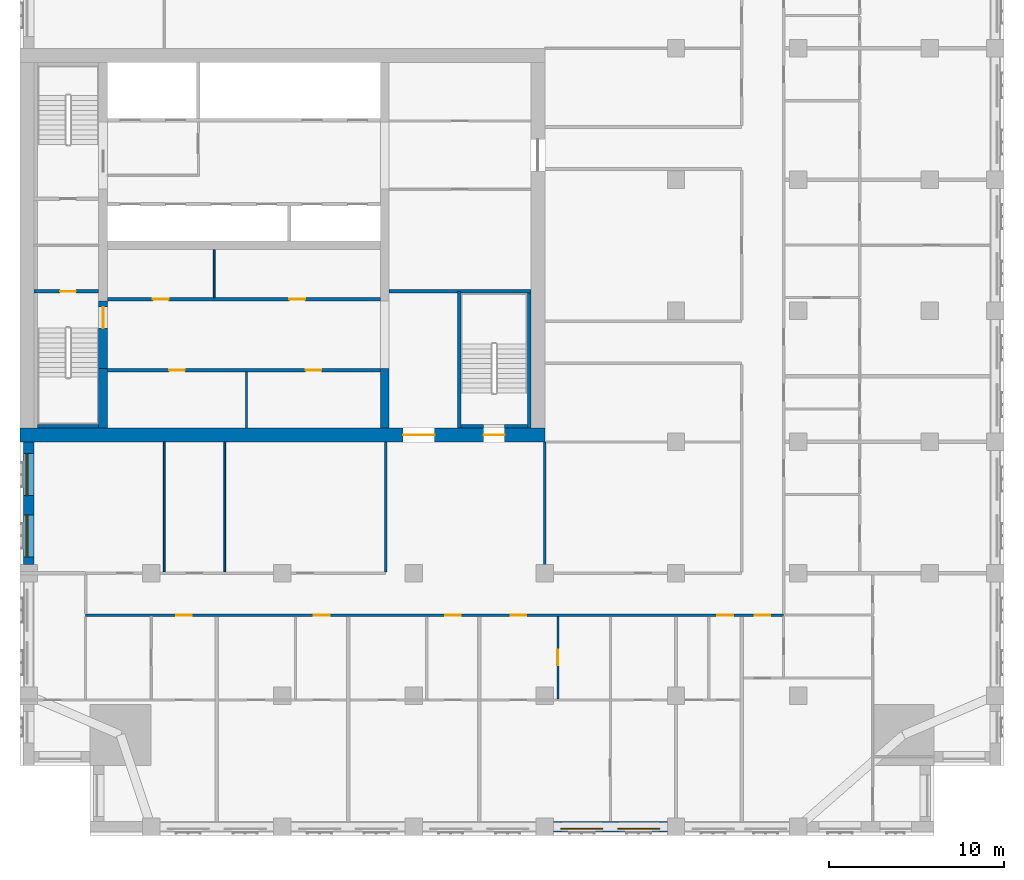
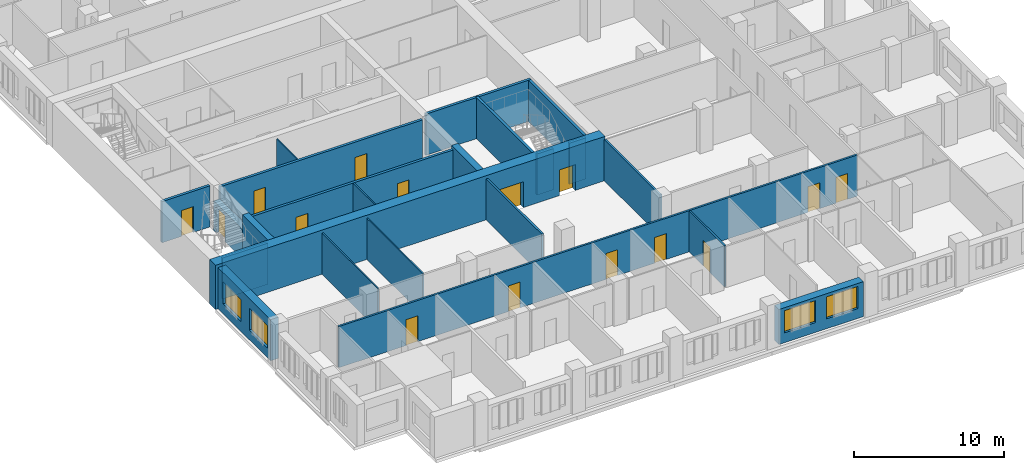
# One storey, part 5 of 14: 23 walls, 15 doors, 4 windows, 19 openings.
"""IFC4 building model written with IfcOpenShell, lengths in metres."""

from ifc_helpers import new_model, si_unit, direction, frame, frame_2d, origin, place, context, subcontext, project, spatial, rectangle, extrude, material, layer, layer_set, type_object, element, fill, save


model = new_model("IFC4")

# Units and contexts
model_context = context("Model", 3, precision=1e-05, world=origin(), true_north=direction((0.0, 1.0)))
body_context = subcontext(model_context, "Body", "Model", "MODEL_VIEW")
ifc_project = project(units=[si_unit("LENGTHUNIT", "METRE"), si_unit("AREAUNIT", "SQUARE_METRE"), si_unit("VOLUMEUNIT", "CUBIC_METRE"), si_unit("PLANEANGLEUNIT", "RADIAN"), si_unit("MASSUNIT", "GRAM", prefix="KILO")], contexts=[model_context])

# Site, building, storey
site_placement = place(None, origin())
site = spatial("IfcSite", under=ifc_project, at=site_placement, CompositionType="ELEMENT")
building_placement = place(site_placement, origin())
building = spatial("IfcBuilding", under=site, at=building_placement, Name="Tamorin Gate", CompositionType="ELEMENT")
storey_placement = place(building_placement, frame((0.0, 0.0, 133.800048828125)))
storey = spatial("IfcBuildingStorey", under=building, at=storey_placement, Name="L32", CompositionType="ELEMENT", Elevation=133.800048828125)

# Wall, openings, windows
ifc_material_1 = material(Name="Precast concrete C40/50", Category="concrete")
ifc_layer_1 = layer(ifc_material_1, 0.60009765625)
ifc_layer_set_1 = layer_set([ifc_layer_1], Name="Precast concrete C40/50")
wall_type_1 = type_object("IfcWallType", Name="Board-marked concrete facade panel 600", PredefinedType="SOLIDWALL", material=ifc_layer_set_1)
wall_1_placement = place(storey_placement, frame((60.5, 38.0, 0.0), z_axis=(0.0, 0.0, 1.0), x_axis=(1.0, 0.0, 0.0)))
wall_1 = element("IfcWall", 1, at=wall_1_placement, inside=storey, type_object=wall_type_1, Name="Facade panel", PredefinedType="SOLIDWALL", context=body_context, shape_type="SweptSolid", body=[
    extrude(rectangle(XDim=6.5, YDim=0.60009765625, at=frame_2d((3.25, 0.0))), origin(), (0.0, 0.0, 1.0), 2.849853515625),
])
opening_1_placement = place(wall_1_placement, frame((0.425048828125, 0.0, 0.800048828125)))
opening_1 = element("IfcOpeningElement", 2, at=opening_1_placement, cuts=wall_1, Name="Opening WN1", PredefinedType="OPENING", context=body_context, shape_type="SweptSolid", body=[
    extrude(rectangle(XDim=2.39990234375, YDim=1.800048828125, at=frame_2d((1.199951171875, 0.89990234375))), frame((0.0, 0.31005859375, 0.0), z_axis=(0.0, -1.0, 0.0), x_axis=(1.0, 0.0, 0.0)), (0.0, 0.0, 1.0), 0.6201171875),
])
opening_2_placement = place(wall_1_placement, frame((3.675048828125, 0.0, 0.800048828125)))
opening_2 = element("IfcOpeningElement", 3, at=opening_2_placement, cuts=wall_1, Name="Opening WN1", PredefinedType="OPENING", context=body_context, shape_type="SweptSolid", body=[
    extrude(rectangle(XDim=2.39990234375, YDim=1.800048828125, at=frame_2d((1.199951171875, 0.89990234375))), frame((0.0, 0.31005859375, 0.0), z_axis=(0.0, -1.0, 0.0), x_axis=(1.0, 0.0, 0.0)), (0.0, 0.0, 1.0), 0.6201171875),
])
ifc_material_2 = material(Name="Clear glass in aluminium frame", Category="aluminium")
window_type = type_object("IfcWindowType", Name="Deep-set window 2400x1800", PartitioningType="SINGLE_PANEL", PredefinedType="WINDOW", material=ifc_material_2)
window_1_placement = place(opening_1_placement, origin())
window_1 = element("IfcWindow", 4, at=window_1_placement, inside=storey, type_object=window_type, Name="Deep-set window", OverallHeight=1.800048828125, OverallWidth=2.39990234375, PartitioningType="SINGLE_PANEL", PredefinedType="WINDOW", context=body_context, shape_type="SweptSolid", body=[
    extrude(rectangle(XDim=2.39990234375, YDim=1.800048828125, at=frame_2d((1.199951171875, 0.89990234375))), frame((0.0, -0.070068359375, 0.0), z_axis=(0.0, -1.0, 0.0), x_axis=(1.0, 0.0, 0.0)), (0.0, 0.0, 1.0), 0.06005859375),
])
fill(opening_1, window_1)
window_2_placement = place(opening_2_placement, origin())
window_2 = element("IfcWindow", 5, at=window_2_placement, inside=storey, type_object=window_type, Name="Deep-set window", OverallHeight=1.800048828125, OverallWidth=2.39990234375, PartitioningType="SINGLE_PANEL", PredefinedType="WINDOW", context=body_context, shape_type="SweptSolid", body=[
    extrude(rectangle(XDim=2.39990234375, YDim=1.800048828125, at=frame_2d((1.199951171875, 0.89990234375))), frame((0.0, -0.070068359375, 0.0), z_axis=(0.0, -1.0, 0.0), x_axis=(1.0, 0.0, 0.0)), (0.0, 0.0, 1.0), 0.06005859375),
])
fill(opening_2, window_2)

wall_2_placement = place(storey_placement, frame((30.5, 60.0, 0.0), z_axis=(0.0, 0.0, 1.0), x_axis=(0.0, -1.0, 0.0)))
wall_2 = element("IfcWall", 6, at=wall_2_placement, inside=storey, type_object=wall_type_1, Name="Facade panel", PredefinedType="SOLIDWALL", context=body_context, shape_type="SweptSolid", body=[
    extrude(rectangle(XDim=7.0, YDim=0.60009765625, at=frame_2d((3.5, 0.0))), origin(), (0.0, 0.0, 1.0), 3.349853515625),
])
opening_3_placement = place(wall_2_placement, frame((4.175048828125, 0.0, 0.800048828125)))
opening_3 = element("IfcOpeningElement", 7, at=opening_3_placement, cuts=wall_2, Name="Opening WN1", PredefinedType="OPENING", context=body_context, shape_type="SweptSolid", body=[
    extrude(rectangle(XDim=2.39990234375, YDim=1.800048828125, at=frame_2d((1.199951171875, 0.89990234375))), frame((0.0, 0.31005859375, 0.0), z_axis=(0.0, -1.0, 0.0), x_axis=(1.0, 0.0, 0.0)), (0.0, 0.0, 1.0), 0.6201171875),
])
opening_4_placement = place(wall_2_placement, frame((0.675048828125, 0.0, 0.800048828125)))
opening_4 = element("IfcOpeningElement", 8, at=opening_4_placement, cuts=wall_2, Name="Opening WN1", PredefinedType="OPENING", context=body_context, shape_type="SweptSolid", body=[
    extrude(rectangle(XDim=2.39990234375, YDim=1.800048828125, at=frame_2d((1.199951171875, 0.89990234375))), frame((0.0, 0.31005859375, 0.0), z_axis=(0.0, -1.0, 0.0), x_axis=(1.0, 0.0, 0.0)), (0.0, 0.0, 1.0), 0.6201171875),
])
window_3_placement = place(opening_3_placement, origin())
window_3 = element("IfcWindow", 9, at=window_3_placement, inside=storey, type_object=window_type, Name="Deep-set window", OverallHeight=1.800048828125, OverallWidth=2.39990234375, PartitioningType="SINGLE_PANEL", PredefinedType="WINDOW", context=body_context, shape_type="SweptSolid", body=[
    extrude(rectangle(XDim=2.39990234375, YDim=1.800048828125, at=frame_2d((1.199951171875, 0.89990234375))), frame((0.0, -0.070068359375, 0.0), z_axis=(0.0, -1.0, 0.0), x_axis=(1.0, 0.0, 0.0)), (0.0, 0.0, 1.0), 0.06005859375),
])
fill(opening_3, window_3)
window_4_placement = place(opening_4_placement, origin())
window_4 = element("IfcWindow", 10, at=window_4_placement, inside=storey, type_object=window_type, Name="Deep-set window", OverallHeight=1.800048828125, OverallWidth=2.39990234375, PartitioningType="SINGLE_PANEL", PredefinedType="WINDOW", context=body_context, shape_type="SweptSolid", body=[
    extrude(rectangle(XDim=2.39990234375, YDim=1.800048828125, at=frame_2d((1.199951171875, 0.89990234375))), frame((0.0, -0.070068359375, 0.0), z_axis=(0.0, -1.0, 0.0), x_axis=(1.0, 0.0, 0.0)), (0.0, 0.0, 1.0), 0.06005859375),
])
fill(opening_4, window_4)

# Wall, openings, doors
ifc_material_3 = material(Name="Gypsum board partition")
ifc_layer_2 = layer(ifc_material_3, 0.14990234375)
ifc_layer_set_2 = layer_set([ifc_layer_2], Name="Corridor wall 150")
wall_type_2 = type_object("IfcWallType", Name="Corridor wall 150", PredefinedType="PARTITIONING", material=ifc_layer_set_2)
wall_3_placement = place(storey_placement, frame((33.75, 50.10009765625, 0.0), z_axis=(0.0, 0.0, 1.0), x_axis=(1.0, 0.0, 0.0)))
wall_3 = element("IfcWall", 11, at=wall_3_placement, inside=storey, type_object=wall_type_2, Name="Corridor wall 150", PredefinedType="PARTITIONING", context=body_context, shape_type="SweptSolid", body=[
    extrude(rectangle(XDim=39.89990234375, YDim=0.14990234375, at=frame_2d((19.949951171875, 0.0))), origin(), (0.0, 0.0, 1.0), 3.349853515625),
])
opening_5_placement = place(wall_3_placement, frame((5.175048828125, 0.0, 0.0)))
opening_5 = element("IfcOpeningElement", 12, at=opening_5_placement, cuts=wall_3, Name="Opening DS2003", PredefinedType="OPENING", context=body_context, shape_type="SweptSolid", body=[
    extrude(rectangle(XDim=0.89990234375, YDim=2.10009765625, at=frame_2d((0.449951171875, 1.050048828125))), frame((0.0, 0.0849609375, 0.0), z_axis=(0.0, -1.0, 0.0), x_axis=(1.0, 0.0, 0.0)), (0.0, 0.0, 1.0), 0.169921875),
])
opening_6_placement = place(wall_3_placement, frame((13.050048828125, 0.0, 0.0)))
opening_6 = element("IfcOpeningElement", 13, at=opening_6_placement, cuts=wall_3, Name="Opening DS2006", PredefinedType="OPENING", context=body_context, shape_type="SweptSolid", body=[
    extrude(rectangle(XDim=0.89990234375, YDim=2.10009765625, at=frame_2d((0.449951171875, 1.050048828125))), frame((0.0, 0.0849609375, 0.0), z_axis=(0.0, -1.0, 0.0), x_axis=(1.0, 0.0, 0.0)), (0.0, 0.0, 1.0), 0.169921875),
])
opening_7_placement = place(wall_3_placement, frame((20.550048828125, 0.0, 0.0)))
opening_7 = element("IfcOpeningElement", 14, at=opening_7_placement, cuts=wall_3, Name="Opening DS2009", PredefinedType="OPENING", context=body_context, shape_type="SweptSolid", body=[
    extrude(rectangle(XDim=0.89990234375, YDim=2.10009765625, at=frame_2d((0.449951171875, 1.050048828125))), frame((0.0, 0.0849609375, 0.0), z_axis=(0.0, -1.0, 0.0), x_axis=(1.0, 0.0, 0.0)), (0.0, 0.0, 1.0), 0.169921875),
])
opening_8_placement = place(wall_3_placement, frame((24.300048828125, 0.0, 0.0)))
opening_8 = element("IfcOpeningElement", 15, at=opening_8_placement, cuts=wall_3, Name="Opening DS2011", PredefinedType="OPENING", context=body_context, shape_type="SweptSolid", body=[
    extrude(rectangle(XDim=0.89990234375, YDim=2.10009765625, at=frame_2d((0.449951171875, 1.050048828125))), frame((0.0, 0.0849609375, 0.0), z_axis=(0.0, -1.0, 0.0), x_axis=(1.0, 0.0, 0.0)), (0.0, 0.0, 1.0), 0.169921875),
])
opening_9_placement = place(wall_3_placement, frame((36.112548828125, 0.0, 0.0)))
opening_9 = element("IfcOpeningElement", 16, at=opening_9_placement, cuts=wall_3, Name="Opening DS2017", PredefinedType="OPENING", context=body_context, shape_type="SweptSolid", body=[
    extrude(rectangle(XDim=0.89990234375, YDim=2.10009765625, at=frame_2d((0.449951171875, 1.050048828125))), frame((0.0, 0.0849609375, 0.0), z_axis=(0.0, -1.0, 0.0), x_axis=(1.0, 0.0, 0.0)), (0.0, 0.0, 1.0), 0.169921875),
])
opening_10_placement = place(wall_3_placement, frame((38.25, 0.0, 0.0)))
opening_10 = element("IfcOpeningElement", 17, at=opening_10_placement, cuts=wall_3, Name="Opening DS2054", PredefinedType="OPENING", context=body_context, shape_type="SweptSolid", body=[
    extrude(rectangle(XDim=0.89990234375, YDim=2.10009765625, at=frame_2d((0.449951171875, 1.050048828125))), frame((0.0, 0.0849609375, 0.0), z_axis=(0.0, -1.0, 0.0), x_axis=(1.0, 0.0, 0.0)), (0.0, 0.0, 1.0), 0.169921875),
])
ifc_material_4 = material(Name="Timber door leaf", Category="wood")
door_type_1 = type_object("IfcDoorType", Name="Door 900 x 2100 FD30S", OperationType="NOTDEFINED", PredefinedType="DOOR", material=ifc_material_4)
door_1_placement = place(opening_5_placement, origin())
door_1 = element("IfcDoor", 18, at=door_1_placement, inside=storey, type_object=door_type_1, Name="Door DS2003", OperationType="SINGLE_SWING_RIGHT", OverallHeight=2.10009765625, OverallWidth=0.89990234375, PredefinedType="DOOR", context=body_context, shape_type="SweptSolid", body=[
    extrude(rectangle(XDim=0.89990234375, YDim=2.10009765625, at=frame_2d((0.449951171875, 1.050048828125))), frame((0.0, 0.02490234375, 0.0), z_axis=(0.0, -1.0, 0.0), x_axis=(1.0, 0.0, 0.0)), (0.0, 0.0, 1.0), 0.050048828125),
])
fill(opening_5, door_1)
door_2_placement = place(opening_6_placement, origin())
door_2 = element("IfcDoor", 19, at=door_2_placement, inside=storey, type_object=door_type_1, Name="Door DS2006", OperationType="SINGLE_SWING_RIGHT", OverallHeight=2.10009765625, OverallWidth=0.89990234375, PredefinedType="DOOR", context=body_context, shape_type="SweptSolid", body=[
    extrude(rectangle(XDim=0.89990234375, YDim=2.10009765625, at=frame_2d((0.449951171875, 1.050048828125))), frame((0.0, 0.02490234375, 0.0), z_axis=(0.0, -1.0, 0.0), x_axis=(1.0, 0.0, 0.0)), (0.0, 0.0, 1.0), 0.050048828125),
])
fill(opening_6, door_2)
door_3_placement = place(opening_7_placement, origin())
door_3 = element("IfcDoor", 20, at=door_3_placement, inside=storey, type_object=door_type_1, Name="Door DS2009", OperationType="SINGLE_SWING_RIGHT", OverallHeight=2.10009765625, OverallWidth=0.89990234375, PredefinedType="DOOR", context=body_context, shape_type="SweptSolid", body=[
    extrude(rectangle(XDim=0.89990234375, YDim=2.10009765625, at=frame_2d((0.449951171875, 1.050048828125))), frame((0.0, 0.02490234375, 0.0), z_axis=(0.0, -1.0, 0.0), x_axis=(1.0, 0.0, 0.0)), (0.0, 0.0, 1.0), 0.050048828125),
])
fill(opening_7, door_3)
door_4_placement = place(opening_8_placement, origin())
door_4 = element("IfcDoor", 21, at=door_4_placement, inside=storey, type_object=door_type_1, Name="Door DS2011", OperationType="SINGLE_SWING_RIGHT", OverallHeight=2.10009765625, OverallWidth=0.89990234375, PredefinedType="DOOR", context=body_context, shape_type="SweptSolid", body=[
    extrude(rectangle(XDim=0.89990234375, YDim=2.10009765625, at=frame_2d((0.449951171875, 1.050048828125))), frame((0.0, 0.02490234375, 0.0), z_axis=(0.0, -1.0, 0.0), x_axis=(1.0, 0.0, 0.0)), (0.0, 0.0, 1.0), 0.050048828125),
])
fill(opening_8, door_4)
door_5_placement = place(opening_9_placement, origin())
door_5 = element("IfcDoor", 22, at=door_5_placement, inside=storey, type_object=door_type_1, Name="Door DS2017", OperationType="SINGLE_SWING_RIGHT", OverallHeight=2.10009765625, OverallWidth=0.89990234375, PredefinedType="DOOR", context=body_context, shape_type="SweptSolid", body=[
    extrude(rectangle(XDim=0.89990234375, YDim=2.10009765625, at=frame_2d((0.449951171875, 1.050048828125))), frame((0.0, 0.02490234375, 0.0), z_axis=(0.0, -1.0, 0.0), x_axis=(1.0, 0.0, 0.0)), (0.0, 0.0, 1.0), 0.050048828125),
])
fill(opening_9, door_5)
door_6_placement = place(opening_10_placement, origin())
door_6 = element("IfcDoor", 23, at=door_6_placement, inside=storey, type_object=door_type_1, Name="Door DS2054", OperationType="SINGLE_SWING_LEFT", OverallHeight=2.10009765625, OverallWidth=0.89990234375, PredefinedType="DOOR", context=body_context, shape_type="SweptSolid", body=[
    extrude(rectangle(XDim=0.89990234375, YDim=2.10009765625, at=frame_2d((0.449951171875, 1.050048828125))), frame((0.0, 0.02490234375, 0.0), z_axis=(0.0, -1.0, 0.0), x_axis=(1.0, 0.0, 0.0)), (0.0, 0.0, 1.0), 0.050048828125),
])
fill(opening_10, door_6)

# Walls
ifc_layer_3 = layer(ifc_material_3, 0.14990234375)
ifc_layer_set_3 = layer_set([ifc_layer_3], Name="Lobby wall 150")
wall_type_3 = type_object("IfcWallType", Name="Lobby wall 150", PredefinedType="PARTITIONING", material=ifc_layer_set_3)
for number, where, z_axis, x_axis, name in (
    (24, (50.89990234375, 52.574951171875, 0.0), (0.0, 0.0, 1.0), (0.0, 1.0, 0.0), "Lobby wall 150"),
    (25, (60.0, 52.574951171875, 0.0), (0.0, 0.0, 1.0), (0.0, 1.0, 0.0), "Lobby wall 150"),
):
    element("IfcWall", number, at=place(storey_placement, frame(where, z_axis=z_axis, x_axis=x_axis)), inside=storey, type_object=wall_type_3, Name=name, PredefinedType="PARTITIONING", context=body_context, shape_type="SweptSolid", body=[
        extrude(rectangle(XDim=7.425048828125, YDim=0.14990234375, at=frame_2d((3.71240234375, 0.0))), origin(), (0.0, 0.0, 1.0), 3.349853515625),
    ])
ifc_material_5 = material(Name="Concrete C60/75", Category="concrete")
ifc_layer_4 = layer(ifc_material_5, 0.5)
ifc_layer_set_4 = layer_set([ifc_layer_4], Name="RC core internal wall 500 C60/75")
wall_type_4 = type_object("IfcWallType", Name="RC core internal wall 500 C60/75", PredefinedType="SHEAR", material=ifc_layer_set_4)
for number, where, z_axis, x_axis, name in (
    (26, (34.75, 60.800048828125, 0.0), (0.0, 0.0, 1.0), (0.0, 1.0, 0.0), "Core cross wall L32"),
    (27, (50.85009765625, 60.800048828125, 0.0), (0.0, 0.0, 1.0), (0.0, 1.0, 0.0), "Core cross wall L32"),
):
    element("IfcWall", number, at=place(storey_placement, frame(where, z_axis=z_axis, x_axis=x_axis)), inside=storey, type_object=wall_type_4, Name=name, PredefinedType="SHEAR", context=body_context, shape_type="SweptSolid", body=[
        extrude(rectangle(XDim=3.39990234375, YDim=0.5, at=frame_2d((1.699951171875, 0.0))), origin(), (0.0, 0.0, 1.0), 3.599853515625),
    ])

# Wall, openings, doors
ifc_layer_5 = layer(ifc_material_5, 0.800048828125)
ifc_layer_set_5 = layer_set([ifc_layer_5], Name="RC core wall 800 C60/75")
wall_type_5 = type_object("IfcWallType", Name="RC core wall 800 C60/75", PredefinedType="SHEAR", material=ifc_layer_set_5)
wall_4_placement = place(storey_placement, frame((30.0, 60.39990234375, 0.0), z_axis=(0.0, 0.0, 1.0), x_axis=(1.0, 0.0, 0.0)))
wall_4 = element("IfcWall", 28, at=wall_4_placement, inside=storey, type_object=wall_type_5, Name="Core wall L32", PredefinedType="SHEAR", context=body_context, shape_type="SweptSolid", body=[
    extrude(rectangle(XDim=30.0, YDim=0.800048828125, at=frame_2d((15.0, 0.0))), origin(), (0.0, 0.0, 1.0), 3.599853515625),
])
opening_11_placement = place(wall_4_placement, frame((21.89990234375, 0.0, 0.0)))
opening_11 = element("IfcOpeningElement", 29, at=opening_11_placement, cuts=wall_4, Name="Opening DE1", PredefinedType="OPENING", context=body_context, shape_type="SweptSolid", body=[
    extrude(rectangle(XDim=1.800048828125, YDim=2.10009765625, at=frame_2d((0.89990234375, 1.050048828125))), frame((0.0, 0.409912109375, 0.0), z_axis=(0.0, -1.0, 0.0), x_axis=(1.0, 0.0, 0.0)), (0.0, 0.0, 1.0), 0.820068359375),
])
opening_12_placement = place(wall_4_placement, frame((26.5, 0.0, 0.0)))
opening_12 = element("IfcOpeningElement", 30, at=opening_12_placement, cuts=wall_4, Name="Opening DS1", PredefinedType="OPENING", context=body_context, shape_type="SweptSolid", body=[
    extrude(rectangle(XDim=1.199951171875, YDim=2.10009765625, at=frame_2d((0.60009765625, 1.050048828125))), frame((0.0, 0.409912109375, 0.0), z_axis=(0.0, -1.0, 0.0), x_axis=(1.0, 0.0, 0.0)), (0.0, 0.0, 1.0), 0.820068359375),
])
ifc_material_6 = material(Name="Steel fire door", Category="steel")
door_type_2 = type_object("IfcDoorType", Name="Lobby exit double door 1800 x 2100 EI 60", OperationType="DOUBLE_DOOR_SINGLE_SWING", PredefinedType="DOOR", material=ifc_material_6)
door_7_placement = place(opening_11_placement, origin())
door_7 = element("IfcDoor", 31, at=door_7_placement, inside=storey, type_object=door_type_2, Name="Lift lobby A exit door", OperationType="DOUBLE_DOOR_SINGLE_SWING", OverallHeight=2.10009765625, OverallWidth=1.800048828125, PredefinedType="DOOR", context=body_context, shape_type="SweptSolid", body=[
    extrude(rectangle(XDim=1.800048828125, YDim=2.10009765625, at=frame_2d((0.89990234375, 1.050048828125))), frame((0.0, 0.02490234375, 0.0), z_axis=(0.0, -1.0, 0.0), x_axis=(1.0, 0.0, 0.0)), (0.0, 0.0, 1.0), 0.050048828125),
])
fill(opening_11, door_7)
door_type_3 = type_object("IfcDoorType", Name="Stair door 1200 x 2100 EI 90", OperationType="SINGLE_SWING_LEFT", PredefinedType="DOOR", material=ifc_material_6)
door_8_placement = place(opening_12_placement, origin())
door_8 = element("IfcDoor", 32, at=door_8_placement, inside=storey, type_object=door_type_3, Name="ST3 door", OperationType="SINGLE_SWING_LEFT", OverallHeight=2.10009765625, OverallWidth=1.199951171875, PredefinedType="DOOR", context=body_context, shape_type="SweptSolid", body=[
    extrude(rectangle(XDim=1.199951171875, YDim=2.10009765625, at=frame_2d((0.60009765625, 1.050048828125))), frame((0.0, 0.02490234375, 0.0), z_axis=(0.0, -1.0, 0.0), x_axis=(1.0, 0.0, 0.0)), (0.0, 0.0, 1.0), 0.050048828125),
])
fill(opening_12, door_8)

# Walls
ifc_layer_6 = layer(ifc_material_3, 0.10009765625)
ifc_layer_set_6 = layer_set([ifc_layer_6], Name="Room partition 100")
wall_type_6 = type_object("IfcWallType", Name="Room partition 100", PredefinedType="PARTITIONING", material=ifc_layer_set_6)
for number, where, z_axis, x_axis, name in (
    (33, (38.25, 52.574951171875, 0.0), (0.0, 0.0, 1.0), (0.0, 1.0, 0.0), "Room partition 100"),
    (34, (41.699951171875, 52.574951171875, 0.0), (0.0, 0.0, 1.0), (0.0, 1.0, 0.0), "Room partition 100"),
):
    element("IfcWall", number, at=place(storey_placement, frame(where, z_axis=z_axis, x_axis=x_axis)), inside=storey, type_object=wall_type_6, Name=name, PredefinedType="PARTITIONING", context=body_context, shape_type="SweptSolid", body=[
        extrude(rectangle(XDim=7.425048828125, YDim=0.10009765625, at=frame_2d((3.71240234375, 0.0))), origin(), (0.0, 0.0, 1.0), 3.349853515625),
    ])

# Wall, openings, doors
ifc_layer_7 = layer(ifc_material_3, 0.199951171875)
ifc_layer_set_7 = layer_set([ifc_layer_7], Name="Service room face wall 200 EI 60")
wall_type_7 = type_object("IfcWallType", Name="Service room face wall 200 EI 60", PredefinedType="PARTITIONING", material=ifc_layer_set_7)
wall_5_placement = place(storey_placement, frame((35.0, 64.10009765625, 0.0), z_axis=(0.0, 0.0, 1.0), x_axis=(1.0, 0.0, 0.0)))
wall_5 = element("IfcWall", 35, at=wall_5_placement, inside=storey, type_object=wall_type_7, Name="Service room face wall", PredefinedType="PARTITIONING", context=body_context, shape_type="SweptSolid", body=[
    extrude(rectangle(XDim=15.60009765625, YDim=0.199951171875, at=frame_2d((7.800048828125, 0.0))), origin(), (0.0, 0.0, 1.0), 3.349853515625),
])
opening_13_placement = place(wall_5_placement, frame((3.52490234375, 0.0, 0.0)))
opening_13 = element("IfcOpeningElement", 36, at=opening_13_placement, cuts=wall_5, Name="Opening DK1", PredefinedType="OPENING", context=body_context, shape_type="SweptSolid", body=[
    extrude(rectangle(XDim=0.89990234375, YDim=2.10009765625, at=frame_2d((0.449951171875, 1.050048828125))), frame((0.0, 0.10986328125, 0.0), z_axis=(0.0, -1.0, 0.0), x_axis=(1.0, 0.0, 0.0)), (0.0, 0.0, 1.0), 0.219970703125),
])
opening_14_placement = place(wall_5_placement, frame((11.324951171875, 0.0, 0.0)))
opening_14 = element("IfcOpeningElement", 37, at=opening_14_placement, cuts=wall_5, Name="Opening DK1", PredefinedType="OPENING", context=body_context, shape_type="SweptSolid", body=[
    extrude(rectangle(XDim=0.89990234375, YDim=2.10009765625, at=frame_2d((0.449951171875, 1.050048828125))), frame((0.0, 0.10986328125, 0.0), z_axis=(0.0, -1.0, 0.0), x_axis=(1.0, 0.0, 0.0)), (0.0, 0.0, 1.0), 0.219970703125),
])
ifc_material_7 = material(Name="Timber fire door", Category="wood")
door_type_4 = type_object("IfcDoorType", Name="Service room door 900 x 2100 EI 60", OperationType="SINGLE_SWING_LEFT", PredefinedType="DOOR", material=ifc_material_7)
door_9_placement = place(opening_13_placement, origin())
door_9 = element("IfcDoor", 38, at=door_9_placement, inside=storey, type_object=door_type_4, Name="Door Pantry", OperationType="SINGLE_SWING_RIGHT", OverallHeight=2.10009765625, OverallWidth=0.89990234375, PredefinedType="DOOR", context=body_context, shape_type="SweptSolid", body=[
    extrude(rectangle(XDim=0.89990234375, YDim=2.10009765625, at=frame_2d((0.449951171875, 1.050048828125))), frame((0.0, 0.02490234375, 0.0), z_axis=(0.0, -1.0, 0.0), x_axis=(1.0, 0.0, 0.0)), (0.0, 0.0, 1.0), 0.050048828125),
])
fill(opening_13, door_9)
door_10_placement = place(opening_14_placement, origin())
door_10 = element("IfcDoor", 39, at=door_10_placement, inside=storey, type_object=door_type_4, Name="Door Linen store", OperationType="SINGLE_SWING_LEFT", OverallHeight=2.10009765625, OverallWidth=0.89990234375, PredefinedType="DOOR", context=body_context, shape_type="SweptSolid", body=[
    extrude(rectangle(XDim=0.89990234375, YDim=2.10009765625, at=frame_2d((0.449951171875, 1.050048828125))), frame((0.0, 0.02490234375, 0.0), z_axis=(0.0, -1.0, 0.0), x_axis=(1.0, 0.0, 0.0)), (0.0, 0.0, 1.0), 0.050048828125),
])
fill(opening_14, door_10)

wall_6_placement = place(storey_placement, frame((35.0, 68.14990234375, 0.0), z_axis=(0.0, 0.0, 1.0), x_axis=(1.0, 0.0, 0.0)))
wall_6 = element("IfcWall", 40, at=wall_6_placement, inside=storey, type_object=wall_type_7, Name="Service room face wall", PredefinedType="PARTITIONING", context=body_context, shape_type="SweptSolid", body=[
    extrude(rectangle(XDim=15.60009765625, YDim=0.199951171875, at=frame_2d((7.800048828125, 0.0))), origin(), (0.0, 0.0, 1.0), 3.349853515625),
])
opening_15_placement = place(wall_6_placement, frame((2.60009765625, 0.0, 0.0)))
opening_15 = element("IfcOpeningElement", 41, at=opening_15_placement, cuts=wall_6, Name="Opening DK1", PredefinedType="OPENING", context=body_context, shape_type="SweptSolid", body=[
    extrude(rectangle(XDim=0.89990234375, YDim=2.10009765625, at=frame_2d((0.449951171875, 1.050048828125))), frame((0.0, 0.10986328125, 0.0), z_axis=(0.0, -1.0, 0.0), x_axis=(1.0, 0.0, 0.0)), (0.0, 0.0, 1.0), 0.219970703125),
])
opening_16_placement = place(wall_6_placement, frame((10.39990234375, 0.0, 0.0)))
opening_16 = element("IfcOpeningElement", 42, at=opening_16_placement, cuts=wall_6, Name="Opening DK1", PredefinedType="OPENING", context=body_context, shape_type="SweptSolid", body=[
    extrude(rectangle(XDim=0.89990234375, YDim=2.10009765625, at=frame_2d((0.449951171875, 1.050048828125))), frame((0.0, 0.10986328125, 0.0), z_axis=(0.0, -1.0, 0.0), x_axis=(1.0, 0.0, 0.0)), (0.0, 0.0, 1.0), 0.219970703125),
])
door_11_placement = place(opening_15_placement, origin())
door_11 = element("IfcDoor", 43, at=door_11_placement, inside=storey, type_object=door_type_4, Name="Door Cleaner's store", OperationType="SINGLE_SWING_RIGHT", OverallHeight=2.10009765625, OverallWidth=0.89990234375, PredefinedType="DOOR", context=body_context, shape_type="SweptSolid", body=[
    extrude(rectangle(XDim=0.89990234375, YDim=2.10009765625, at=frame_2d((0.449951171875, 1.050048828125))), frame((0.0, 0.02490234375, 0.0), z_axis=(0.0, -1.0, 0.0), x_axis=(1.0, 0.0, 0.0)), (0.0, 0.0, 1.0), 0.050048828125),
])
fill(opening_15, door_11)
door_12_placement = place(opening_16_placement, origin())
door_12 = element("IfcDoor", 44, at=door_12_placement, inside=storey, type_object=door_type_4, Name="Door Pantry", OperationType="SINGLE_SWING_LEFT", OverallHeight=2.10009765625, OverallWidth=0.89990234375, PredefinedType="DOOR", context=body_context, shape_type="SweptSolid", body=[
    extrude(rectangle(XDim=0.89990234375, YDim=2.10009765625, at=frame_2d((0.449951171875, 1.050048828125))), frame((0.0, 0.02490234375, 0.0), z_axis=(0.0, -1.0, 0.0), x_axis=(1.0, 0.0, 0.0)), (0.0, 0.0, 1.0), 0.050048828125),
])
fill(opening_16, door_12)

# Walls
ifc_layer_8 = layer(ifc_material_3, 0.10009765625)
ifc_layer_set_8 = layer_set([ifc_layer_8], Name="Service room partition 100 EI 60")
wall_type_8 = type_object("IfcWallType", Name="Service room partition 100 EI 60", PredefinedType="PARTITIONING", material=ifc_layer_set_8)
wall_7_placement = place(storey_placement, frame((42.949951171875, 60.800048828125, 0.0), z_axis=(0.0, 0.0, 1.0), x_axis=(0.0, 1.0, 0.0)))
element("IfcWall", 45, at=wall_7_placement, inside=storey, type_object=wall_type_8, Name="Service room partition", PredefinedType="PARTITIONING", context=body_context, shape_type="SweptSolid", body=[
    extrude(rectangle(XDim=3.199951171875, YDim=0.10009765625, at=frame_2d((1.60009765625, 0.0))), origin(), (0.0, 0.0, 1.0), 3.349853515625),
])
wall_8_placement = place(storey_placement, frame((41.10009765625, 68.25, 0.0), z_axis=(0.0, 0.0, 1.0), x_axis=(0.0, 1.0, 0.0)))
element("IfcWall", 46, at=wall_8_placement, inside=storey, type_object=wall_type_8, Name="Service room partition", PredefinedType="PARTITIONING", context=body_context, shape_type="SweptSolid", body=[
    extrude(rectangle(XDim=2.75, YDim=0.10009765625, at=frame_2d((1.375, 0.0))), origin(), (0.0, 0.0, 1.0), 3.349853515625),
])

# Wall, opening, door
ifc_material_8 = material(Name="Concrete C40/50", Category="concrete")
ifc_layer_9 = layer(ifc_material_8, 0.199951171875)
ifc_layer_set_9 = layer_set([ifc_layer_9], Name="Stair enclosure wall 200 EI 120 C40/50")
wall_type_9 = type_object("IfcWallType", Name="Stair enclosure wall 200 EI 120 C40/50", PredefinedType="SOLIDWALL", material=ifc_layer_set_9)
wall_9_placement = place(storey_placement, frame((30.800048828125, 68.60009765625, 0.0), z_axis=(0.0, 0.0, 1.0), x_axis=(1.0, 0.0, 0.0)))
wall_9 = element("IfcWall", 47, at=wall_9_placement, inside=storey, type_object=wall_type_9, Name="Stair enclosure wall", PredefinedType="SOLIDWALL", context=body_context, shape_type="SweptSolid", body=[
    extrude(rectangle(XDim=3.699951171875, YDim=0.199951171875, at=frame_2d((1.85009765625, 0.0))), origin(), (0.0, 0.0, 1.0), 3.349853515625),
])
opening_17_placement = place(wall_9_placement, frame((1.5, 0.0, 0.0)))
opening_17 = element("IfcOpeningElement", 48, at=opening_17_placement, cuts=wall_9, Name="Opening DR1", PredefinedType="OPENING", context=body_context, shape_type="SweptSolid", body=[
    extrude(rectangle(XDim=0.89990234375, YDim=2.10009765625, at=frame_2d((0.449951171875, 1.050048828125))), frame((0.0, 0.10986328125, 0.0), z_axis=(0.0, -1.0, 0.0), x_axis=(1.0, 0.0, 0.0)), (0.0, 0.0, 1.0), 0.219970703125),
])
door_type_5 = type_object("IfcDoorType", Name="Riser access door 900 x 2100 EI 120", OperationType="SINGLE_SWING_LEFT", PredefinedType="DOOR", material=ifc_material_6)
door_13_placement = place(opening_17_placement, origin())
door_13 = element("IfcDoor", 49, at=door_13_placement, inside=storey, type_object=door_type_5, Name="Electrical riser door", OperationType="SINGLE_SWING_LEFT", OverallHeight=2.10009765625, OverallWidth=0.89990234375, PredefinedType="DOOR", context=body_context, shape_type="SweptSolid", body=[
    extrude(rectangle(XDim=0.89990234375, YDim=2.10009765625, at=frame_2d((0.449951171875, 1.050048828125))), frame((0.0, 0.02490234375, 0.0), z_axis=(0.0, -1.0, 0.0), x_axis=(1.0, 0.0, 0.0)), (0.0, 0.0, 1.0), 0.050048828125),
])
fill(opening_17, door_13)

# Walls
wall_10_placement = place(storey_placement, frame((55.10009765625, 60.800048828125, 0.0), z_axis=(0.0, 0.0, 1.0), x_axis=(0.0, 1.0, 0.0)))
element("IfcWall", 50, at=wall_10_placement, inside=storey, type_object=wall_type_9, Name="Stair enclosure wall", PredefinedType="SOLIDWALL", context=body_context, shape_type="SweptSolid", body=[
    extrude(rectangle(XDim=7.800048828125, YDim=0.199951171875, at=frame_2d((3.89990234375, 0.0))), origin(), (0.0, 0.0, 1.0), 3.349853515625),
])
wall_11_placement = place(storey_placement, frame((51.10009765625, 68.60009765625, 0.0), z_axis=(0.0, 0.0, 1.0), x_axis=(1.0, 0.0, 0.0)))
element("IfcWall", 51, at=wall_11_placement, inside=storey, type_object=wall_type_9, Name="Stair enclosure wall", PredefinedType="SOLIDWALL", context=body_context, shape_type="SweptSolid", body=[
    extrude(rectangle(XDim=8.099853515625, YDim=0.199951171875, at=frame_2d((4.0498046875, 0.0))), origin(), (0.0, 0.0, 1.0), 3.349853515625),
])
ifc_layer_10 = layer(ifc_material_5, 0.199951171875)
ifc_layer_set_10 = layer_set([ifc_layer_10], Name="Stair lining wall 200 EI 120 C60/75")
wall_type_10 = type_object("IfcWallType", Name="Stair lining wall 200 EI 120 C60/75", PredefinedType="SOLIDWALL", material=ifc_layer_set_10)
wall_12_placement = place(storey_placement, frame((31.0, 60.89990234375, 0.0), z_axis=(0.0, 0.0, 1.0), x_axis=(1.0, 0.0, 0.0)))
element("IfcWall", 52, at=wall_12_placement, inside=storey, type_object=wall_type_10, Name="Stair lining wall", PredefinedType="SOLIDWALL", context=body_context, shape_type="SweptSolid", body=[
    extrude(rectangle(XDim=3.5, YDim=0.199951171875, at=frame_2d((1.75, 0.0))), origin(), (0.0, 0.0, 1.0), 3.349853515625),
])
for number, where, z_axis, x_axis, name in (
    (53, (55.199951171875, 60.89990234375, 0.0), (0.0, 0.0, 1.0), (1.0, 0.0, 0.0), "Stair lining wall"),
    (54, (57.699951171875, 60.89990234375, 0.0), (0.0, 0.0, 1.0), (1.0, 0.0, 0.0), "Stair lining wall"),
):
    element("IfcWall", number, at=place(storey_placement, frame(where, z_axis=z_axis, x_axis=x_axis)), inside=storey, type_object=wall_type_10, Name=name, PredefinedType="SOLIDWALL", context=body_context, shape_type="SweptSolid", body=[
        extrude(rectangle(XDim=1.300048828125, YDim=0.199951171875, at=frame_2d((0.64990234375, 0.0))), origin(), (0.0, 0.0, 1.0), 3.349853515625),
    ])
wall_13_placement = place(storey_placement, frame((59.10009765625, 60.800048828125, 0.0), z_axis=(0.0, 0.0, 1.0), x_axis=(0.0, 1.0, 0.0)))
element("IfcWall", 55, at=wall_13_placement, inside=storey, type_object=wall_type_10, Name="Stair lining wall", PredefinedType="SOLIDWALL", context=body_context, shape_type="SweptSolid", body=[
    extrude(rectangle(XDim=7.699951171875, YDim=0.199951171875, at=frame_2d((3.85009765625, 0.0))), origin(), (0.0, 0.0, 1.0), 3.349853515625),
])

# Wall, opening, door
ifc_material_9 = material(Name="Concrete C32/40", Category="concrete")
ifc_layer_11 = layer(ifc_material_9, 0.5)
ifc_layer_set_11 = layer_set([ifc_layer_11], Name="Stair lobby infill wall 500 EI 120")
wall_type_11 = type_object("IfcWallType", Name="Stair lobby infill wall 500 EI 120", PredefinedType="SOLIDWALL", material=ifc_layer_set_11)
wall_14_placement = place(storey_placement, frame((34.75, 64.199951171875, 0.0), z_axis=(0.0, 0.0, 1.0), x_axis=(0.0, 1.0, 0.0)))
wall_14 = element("IfcWall", 56, at=wall_14_placement, inside=storey, type_object=wall_type_11, Name="Stair lobby infill wall", PredefinedType="SOLIDWALL", context=body_context, shape_type="SweptSolid", body=[
    extrude(rectangle(XDim=3.85009765625, YDim=0.5, at=frame_2d((1.925048828125, 0.0))), origin(), (0.0, 0.0, 1.0), 2.39990234375),
])
opening_18_placement = place(wall_14_placement, frame((2.300048828125, 0.0, 0.0)))
opening_18 = element("IfcOpeningElement", 57, at=opening_18_placement, cuts=wall_14, Name="Opening DS1", PredefinedType="OPENING", context=body_context, shape_type="SweptSolid", body=[
    extrude(rectangle(XDim=1.199951171875, YDim=2.10009765625, at=frame_2d((0.60009765625, 1.050048828125))), frame((0.0, 0.260009765625, 0.0), z_axis=(0.0, -1.0, 0.0), x_axis=(1.0, 0.0, 0.0)), (0.0, 0.0, 1.0), 0.52001953125),
])
door_14_placement = place(opening_18_placement, origin())
door_14 = element("IfcDoor", 58, at=door_14_placement, inside=storey, type_object=door_type_3, Name="ST1 door", OperationType="SINGLE_SWING_LEFT", OverallHeight=2.10009765625, OverallWidth=1.199951171875, PredefinedType="DOOR", context=body_context, shape_type="SweptSolid", body=[
    extrude(rectangle(XDim=1.199951171875, YDim=2.10009765625, at=frame_2d((0.60009765625, 1.050048828125))), frame((0.0, 0.02490234375, 0.0), z_axis=(0.0, -1.0, 0.0), x_axis=(1.0, 0.0, 0.0)), (0.0, 0.0, 1.0), 0.050048828125),
])
fill(opening_18, door_14)

ifc_layer_12 = layer(ifc_material_3, 0.125)
ifc_layer_set_12 = layer_set([ifc_layer_12], Name="Wet wall 125")
wall_type_12 = type_object("IfcWallType", Name="Wet wall 125", PredefinedType="PARTITIONING", material=ifc_layer_set_12)
wall_15_placement = place(storey_placement, frame((60.75, 45.3125, 0.0), z_axis=(0.0, 0.0, 1.0), x_axis=(0.0, 1.0, 0.0)))
wall_15 = element("IfcWall", 59, at=wall_15_placement, inside=storey, type_object=wall_type_12, Name="Wet wall 125", PredefinedType="PARTITIONING", context=body_context, shape_type="SweptSolid", body=[
    extrude(rectangle(XDim=4.71240234375, YDim=0.125, at=frame_2d((2.356201171875, 0.0))), origin(), (0.0, 0.0, 1.0), 3.349853515625),
])
opening_19_placement = place(wall_15_placement, frame((1.91259765625, 0.0, 0.0)))
opening_19 = element("IfcOpeningElement", 60, at=opening_19_placement, cuts=wall_15, Name="Opening DS2013", PredefinedType="OPENING", context=body_context, shape_type="SweptSolid", body=[
    extrude(rectangle(XDim=0.89990234375, YDim=2.10009765625, at=frame_2d((0.449951171875, 1.050048828125))), frame((0.0, 0.072509765625, 0.0), z_axis=(0.0, -1.0, 0.0), x_axis=(1.0, 0.0, 0.0)), (0.0, 0.0, 1.0), 0.14501953125),
])
door_type_6 = type_object("IfcDoorType", Name="Door 900 x 2100", OperationType="NOTDEFINED", PredefinedType="DOOR", material=ifc_material_4)
door_15_placement = place(opening_19_placement, origin())
door_15 = element("IfcDoor", 61, at=door_15_placement, inside=storey, type_object=door_type_6, Name="Door DS2013", OperationType="SINGLE_SWING_LEFT", OverallHeight=2.10009765625, OverallWidth=0.89990234375, PredefinedType="DOOR", context=body_context, shape_type="SweptSolid", body=[
    extrude(rectangle(XDim=0.89990234375, YDim=2.10009765625, at=frame_2d((0.449951171875, 1.050048828125))), frame((0.0, 0.02490234375, 0.0), z_axis=(0.0, -1.0, 0.0), x_axis=(1.0, 0.0, 0.0)), (0.0, 0.0, 1.0), 0.050048828125),
])
fill(opening_19, door_15)

save(model, "model.ifc")
